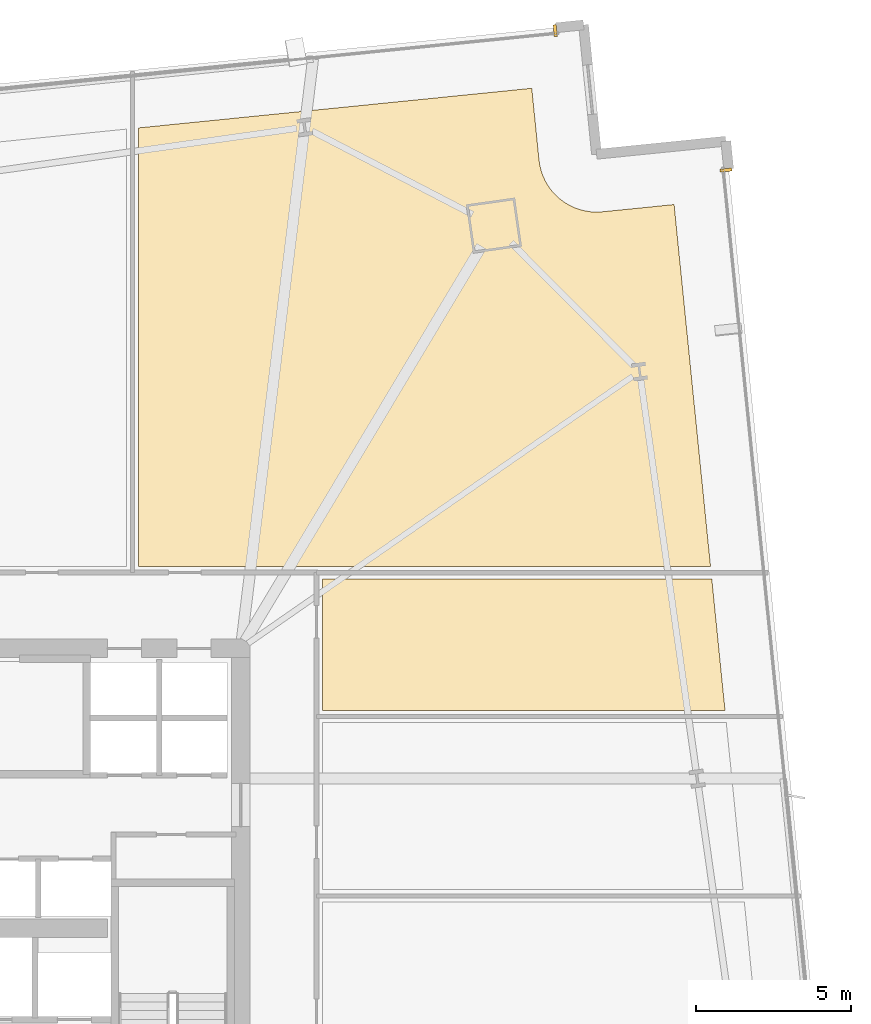
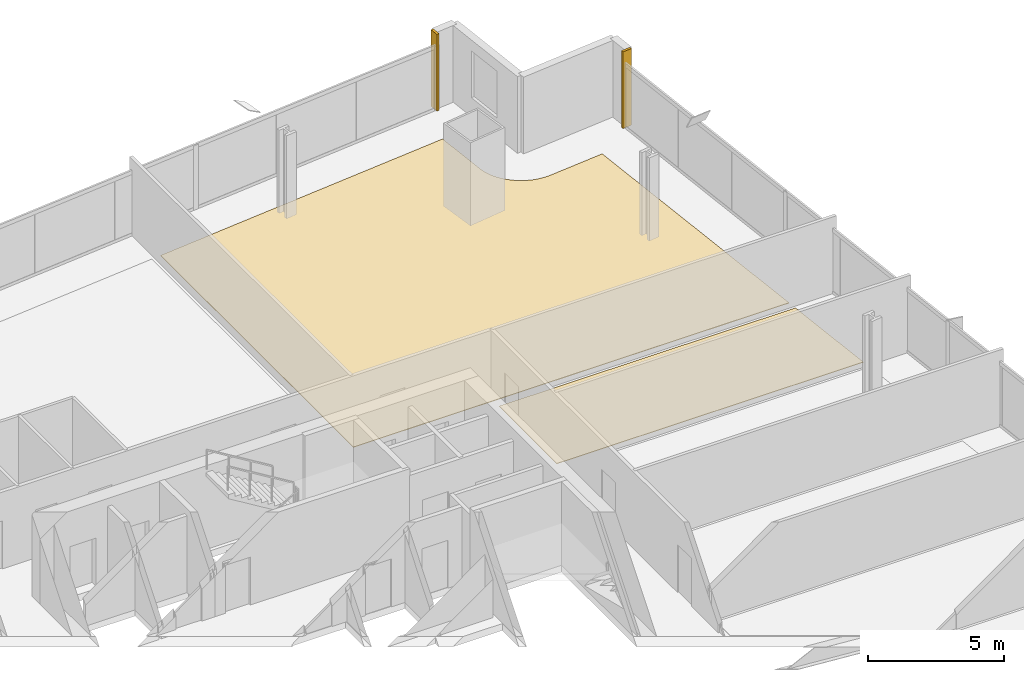
# One storey, part 33 of 33: 4 coverings.
"""IFC4 building model written with IfcOpenShell, lengths in metres."""

from ifc_helpers import new_model, si_unit, direction, frame, origin, origin_2d, place, context, subcontext, project, spatial, polyline, rectangle, outline, extrude, source, transform, mapped, material, layer, layer_set, type_object, element, save


model = new_model("IFC4")

# Units and contexts
model_context = context("Model", 3, precision=1e-05, world=origin(), true_north=direction((0.0, 1.0)))
body_context = subcontext(model_context, "Body", "Model", "MODEL_VIEW")
ifc_project = project(units=[si_unit("LENGTHUNIT", "METRE"), si_unit("AREAUNIT", "SQUARE_METRE"), si_unit("VOLUMEUNIT", "CUBIC_METRE"), si_unit("PLANEANGLEUNIT", "RADIAN"), si_unit("MASSUNIT", "GRAM", prefix="KILO")], contexts=[model_context])

# Site, building, storey
site_placement = place(None, origin())
site = spatial("IfcSite", under=ifc_project, at=site_placement, CompositionType="ELEMENT")
building_placement = place(site_placement, origin())
building = spatial("IfcBuilding", under=site, at=building_placement, Name="Haldenkirk Collegiate Tower", CompositionType="ELEMENT")
storey_placement = place(building_placement, frame((0.0, 0.0, 47.699951171875)))
storey = spatial("IfcBuildingStorey", under=building, at=storey_placement, Name="L10", CompositionType="ELEMENT", Elevation=47.699951171875)

# Coverings
ifc_material_1 = material(Name="Polished collegiate terrazzo", Category="concrete")
ifc_layer_1 = layer(ifc_material_1, 0.02490234375)
ifc_layer_set_1 = layer_set([ifc_layer_1], Name="Polished collegiate terrazzo")
covering_type_1 = type_object("IfcCoveringType", Name="COV-FLOOR-TERRAZZO", PredefinedType="FLOORING", material=ifc_layer_set_1)
covering_1_placement = place(storey_placement, origin())
element("IfcCovering", 1, at=covering_1_placement, inside=storey, type_object=covering_type_1, Name="L10 academic room finish 08", PredefinedType="FLOORING", context=body_context, shape_type="SweptSolid", body=[
    extrude(outline(polyline([(54.406982421875, 52.105712890625), (54.640625, 49.787353515625), (54.641357421875, 49.781494140625), (54.6669921875, 49.611572265625), (54.669189453125, 49.60009765625), (54.71142578125, 49.43359375), (54.71484375, 49.422119140625), (54.77294921875, 49.2607421875), (54.777587890625, 49.25), (54.851318359375, 49.0947265625), (54.856689453125, 49.084228515625), (54.945556640625, 48.937255859375), (54.9521484375, 48.927490234375), (55.0546875, 48.789794921875), (55.062255859375, 48.78076171875), (55.177734375, 48.65380859375), (55.18603515625, 48.6455078125), (55.313720703125, 48.5302734375), (55.32275390625, 48.52294921875), (55.460693359375, 48.4208984375), (55.470703125, 48.414306640625), (55.6181640625, 48.326416015625), (55.628662109375, 48.32080078125), (55.783935546875, 48.247802734375), (55.794921875, 48.243408203125), (55.956787109375, 48.185791015625), (55.968017578125, 48.182373046875), (56.134521484375, 48.14111328125), (56.146240234375, 48.138916015625), (56.316162109375, 48.114013671875), (56.327880859375, 48.11279296875), (56.499267578125, 48.104736328125), (56.510986328125, 48.104736328125), (56.6826171875, 48.113525390625), (56.6884765625, 48.114013671875), (59.0068359375, 48.347412109375), (60.184814453125, 36.64990234375), (41.699951171875, 36.64990234375), (41.699951171875, 50.825927734375), (54.406982421875, 52.105712890625)])), origin(), (0.0, 0.0, 1.0), 0.025146484375),
])
ifc_material_2 = material(Name="Engineered collegiate oak acoustic flooring", Category="wood")
ifc_layer_2 = layer(ifc_material_2, 0.02197265625)
ifc_layer_set_2 = layer_set([ifc_layer_2], Name="Engineered collegiate oak acoustic flooring")
covering_type_2 = type_object("IfcCoveringType", Name="COV-FLOOR-TIMBER", PredefinedType="FLOORING", material=ifc_layer_set_2)
covering_2_placement = place(storey_placement, origin())
element("IfcCovering", 2, at=covering_2_placement, inside=storey, type_object=covering_type_2, Name="L10 academic room finish 13", PredefinedType="FLOORING", context=body_context, shape_type="SweptSolid", body=[
    extrude(outline(polyline([(60.65283203125, 32.0), (47.64990234375, 32.0), (47.64990234375, 36.25), (60.22509765625, 36.25), (60.65283203125, 32.0)])), origin(), (0.0, 0.0, 1.0), 0.02197265625),
])
ifc_material_3 = material(Name="Anodised architectural bronze aluminium", Category="aluminium")
ifc_layer_3 = layer(ifc_material_3, 0.06005859375)
ifc_layer_set_3 = layer_set([ifc_layer_3], Name="Anodised architectural bronze aluminium")
covering_type_3 = type_object("IfcCoveringType", Name="COV-CLAD-BRONZE-60", PredefinedType="CLADDING", material=ifc_layer_set_3)
shared_shape = source(origin(), body_context, "Body", "SweptSolid", [
    extrude(rectangle(XDim=0.10009765625, YDim=0.3798828125, at=origin_2d()), origin(), (0.0, 0.0, 1.0), 3.43994140625),
])
for number, where, z_axis, x_axis, name in (
    (3, (60.683837890625, 49.4609375, 0.0), (0.0, 0.0, 1.0), (0.100188061612, -0.994968518251, 0.0), "L10 recessed curtain-wall bronze jamb closure EJL"),
    (4, (55.1640625, 53.970703125, 0.0), (0.0, 0.0, 1.0), (0.994968518251, 0.100188061612, 0.0), "L10 recessed curtain-wall bronze jamb closure NJR"),
):
    element("IfcCovering", number, at=place(storey_placement, frame(where, z_axis=z_axis, x_axis=x_axis)), inside=storey, type_object=covering_type_3, Name=name, PredefinedType="CLADDING", context=body_context, shape_type="MappedRepresentation", body=[
        mapped(shared_shape, transform((0.0, 0.0, 0.0), x_axis=(1.0, 0.0, 0.0), y_axis=(0.0, 1.0, 0.0), z_axis=(0.0, 0.0, 1.0), scale=1.0)),
    ])

save(model, "model.ifc")
